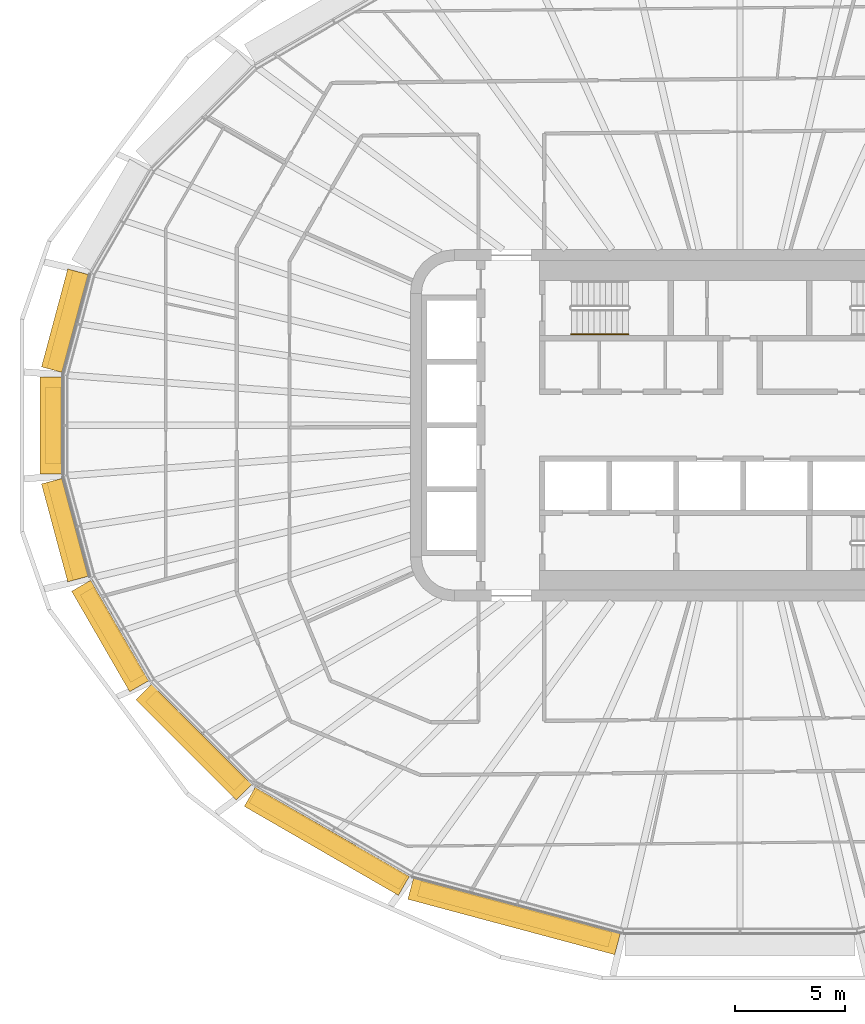
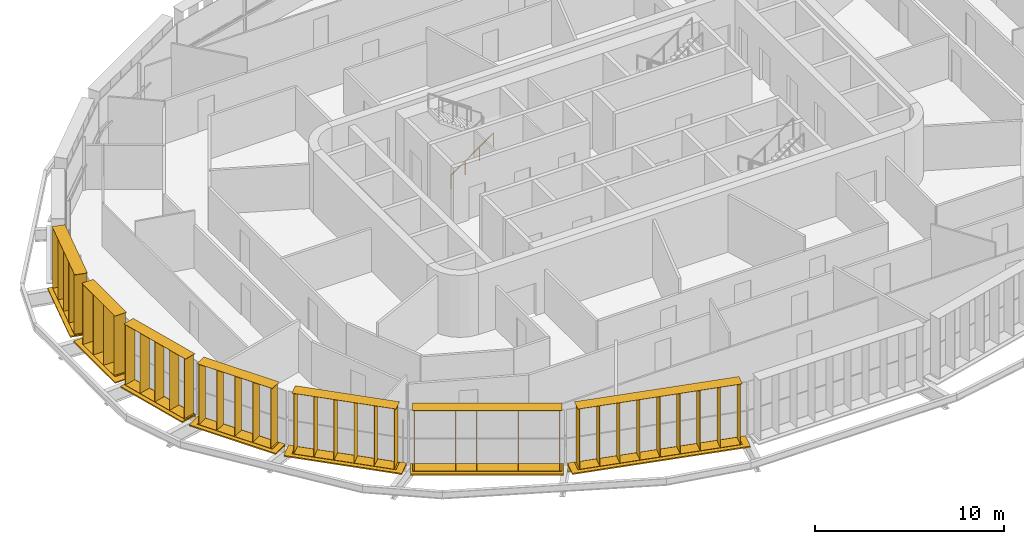
# One storey, part 17 of 21: 14 shading devices, 1 railing.
"""IFC4 building model written with IfcOpenShell, lengths in metres."""

from ifc_helpers import new_model, si_unit, direction, frame, origin, origin_2d, place, context, subcontext, project, spatial, rectangle, circle, extrude, material, type_object, element, save


model = new_model("IFC4")

# Units and contexts
model_context = context("Model", 3, precision=1e-05, world=origin(), true_north=direction((0.0, 1.0)))
body_context = subcontext(model_context, "Body", "Model", "MODEL_VIEW")
ifc_project = project(units=[si_unit("LENGTHUNIT", "METRE"), si_unit("AREAUNIT", "SQUARE_METRE"), si_unit("VOLUMEUNIT", "CUBIC_METRE"), si_unit("PLANEANGLEUNIT", "RADIAN"), si_unit("MASSUNIT", "GRAM", prefix="KILO")], contexts=[model_context])

# Site, building, storey
site_placement = place(None, origin())
site = spatial("IfcSite", under=ifc_project, at=site_placement, CompositionType="ELEMENT")
building_placement = place(site_placement, origin())
building = spatial("IfcBuilding", under=site, at=building_placement, Name="Sahrelin Media Tower", CompositionType="ELEMENT")
storey_placement = place(building_placement, frame((0.0, 0.0, 193.60009765625)))
storey = spatial("IfcBuildingStorey", under=building, at=storey_placement, Name="L41", CompositionType="ELEMENT", Elevation=193.60009765625)

# Shading devices
ifc_material_1 = material(Name="Champagne anodised aluminium 6063-T6", Category="aluminium")
shading_device_type_1 = type_object("IfcShadingDeviceType", Name="Fin cassette", PredefinedType="USERDEFINED", material=ifc_material_1)
placement_1 = place(storey_placement, frame((-30.2041015625, 4.627197265625, 0.0), z_axis=(0.0, 0.0, 1.0), x_axis=(0.258807731996, 0.965928857556, 0.0)))
element("IfcShadingDevice", 1, at=placement_1, inside=storey, type_object=shading_device_type_1, Name="L41:FIN:L41-11", ObjectType="FIN", PredefinedType="USERDEFINED", context=body_context, shape_type="SweptSolid", body=[
    extrude(rectangle(XDim=4.60009765625, YDim=0.699951171875, at=origin_2d()), frame((0.0, 0.419921875, 0.0)), (0.0, 0.0, 1.0), 0.02001953125),
    extrude(rectangle(XDim=4.60009765625, YDim=0.699951171875, at=origin_2d()), frame((0.0, 0.419921875, 3.89990234375)), (0.0, 0.0, 1.0), 0.02001953125),
    extrude(rectangle(XDim=0.02001953125, YDim=0.699951171875, at=origin_2d()), frame((-2.199951171875, 0.419921875, 0.010009765625), z_axis=(0.0, 0.0, 1.0), x_axis=(1.0, 0.0, 0.0)), (0.0, 0.0, 1.0), 3.89990234375),
    extrude(rectangle(XDim=0.02001953125, YDim=0.699951171875, at=origin_2d()), frame((-1.10009765625, 0.419921875, 0.010009765625), z_axis=(0.0, 0.0, 1.0), x_axis=(1.0, 0.0, 0.0)), (0.0, 0.0, 1.0), 3.89990234375),
    extrude(rectangle(XDim=0.02001953125, YDim=0.699951171875, at=origin_2d()), frame((0.0, 0.419921875, 0.010009765625), z_axis=(0.0, 0.0, 1.0), x_axis=(1.0, 0.0, 0.0)), (0.0, 0.0, 1.0), 3.89990234375),
    extrude(rectangle(XDim=0.02001953125, YDim=0.699951171875, at=origin_2d()), frame((1.10009765625, 0.419921875, 0.010009765625), z_axis=(0.0, 0.0, 1.0), x_axis=(1.0, 0.0, 0.0)), (0.0, 0.0, 1.0), 3.89990234375),
    extrude(rectangle(XDim=0.02001953125, YDim=0.699951171875, at=origin_2d()), frame((2.199951171875, 0.419921875, 0.010009765625), z_axis=(0.0, 0.0, 1.0), x_axis=(1.0, 0.0, 0.0)), (0.0, 0.0, 1.0), 3.89990234375),
])
placement_2 = place(storey_placement, frame((-30.827392578125, 0.0, 0.0), z_axis=(0.0, 0.0, 1.0), x_axis=(0.0, 1.0, 0.0)))
element("IfcShadingDevice", 2, at=placement_2, inside=storey, type_object=shading_device_type_1, Name="L41:FIN:L41-12", ObjectType="FIN", PredefinedType="USERDEFINED", context=body_context, shape_type="SweptSolid", body=[
    extrude(rectangle(XDim=3.5, YDim=0.699951171875, at=origin_2d()), frame((0.0, 0.419921875, 0.0)), (0.0, 0.0, 1.0), 0.02001953125),
    extrude(rectangle(XDim=3.5, YDim=0.699951171875, at=origin_2d()), frame((0.0, 0.419921875, 3.89990234375)), (0.0, 0.0, 1.0), 0.02001953125),
    extrude(rectangle(XDim=0.02001953125, YDim=0.699951171875, at=origin_2d()), frame((-1.64990234375, 0.419921875, 0.010009765625), z_axis=(0.0, 0.0, 1.0), x_axis=(1.0, 0.0, 0.0)), (0.0, 0.0, 1.0), 3.89990234375),
    extrude(rectangle(XDim=0.02001953125, YDim=0.699951171875, at=origin_2d()), frame((-0.550048828125, 0.419921875, 0.010009765625), z_axis=(0.0, 0.0, 1.0), x_axis=(1.0, 0.0, 0.0)), (0.0, 0.0, 1.0), 3.89990234375),
    extrude(rectangle(XDim=0.02001953125, YDim=0.699951171875, at=origin_2d()), frame((0.550048828125, 0.419921875, 0.010009765625), z_axis=(0.0, 0.0, 1.0), x_axis=(1.0, 0.0, 0.0)), (0.0, 0.0, 1.0), 3.89990234375),
    extrude(rectangle(XDim=0.02001953125, YDim=0.699951171875, at=origin_2d()), frame((1.64990234375, 0.419921875, 0.010009765625), z_axis=(0.0, 0.0, 1.0), x_axis=(1.0, 0.0, 0.0)), (0.0, 0.0, 1.0), 3.89990234375),
])
placement_3 = place(storey_placement, frame((-30.2041015625, -4.627197265625, 0.0), z_axis=(0.0, 0.0, 1.0), x_axis=(-0.258807731996, 0.965928857556, 0.0)))
element("IfcShadingDevice", 3, at=placement_3, inside=storey, type_object=shading_device_type_1, Name="L41:FIN:L41-13", ObjectType="FIN", PredefinedType="USERDEFINED", context=body_context, shape_type="SweptSolid", body=[
    extrude(rectangle(XDim=4.60009765625, YDim=0.699951171875, at=origin_2d()), frame((0.0, 0.419921875, 0.0)), (0.0, 0.0, 1.0), 0.02001953125),
    extrude(rectangle(XDim=4.60009765625, YDim=0.699951171875, at=origin_2d()), frame((0.0, 0.419921875, 3.89990234375)), (0.0, 0.0, 1.0), 0.02001953125),
    extrude(rectangle(XDim=0.02001953125, YDim=0.699951171875, at=origin_2d()), frame((-2.199951171875, 0.419921875, 0.010009765625), z_axis=(0.0, 0.0, 1.0), x_axis=(1.0, 0.0, 0.0)), (0.0, 0.0, 1.0), 3.89990234375),
    extrude(rectangle(XDim=0.02001953125, YDim=0.699951171875, at=origin_2d()), frame((-1.10009765625, 0.419921875, 0.010009765625), z_axis=(0.0, 0.0, 1.0), x_axis=(1.0, 0.0, 0.0)), (0.0, 0.0, 1.0), 3.89990234375),
    extrude(rectangle(XDim=0.02001953125, YDim=0.699951171875, at=origin_2d()), frame((0.0, 0.419921875, 0.010009765625), z_axis=(0.0, 0.0, 1.0), x_axis=(1.0, 0.0, 0.0)), (0.0, 0.0, 1.0), 3.89990234375),
    extrude(rectangle(XDim=0.02001953125, YDim=0.699951171875, at=origin_2d()), frame((1.10009765625, 0.419921875, 0.010009765625), z_axis=(0.0, 0.0, 1.0), x_axis=(1.0, 0.0, 0.0)), (0.0, 0.0, 1.0), 3.89990234375),
    extrude(rectangle(XDim=0.02001953125, YDim=0.699951171875, at=origin_2d()), frame((2.199951171875, 0.419921875, 0.010009765625), z_axis=(0.0, 0.0, 1.0), x_axis=(1.0, 0.0, 0.0)), (0.0, 0.0, 1.0), 3.89990234375),
])
placement_4 = place(storey_placement, frame((-28.211181640625, -9.324951171875, 0.0), z_axis=(0.0, 0.0, 1.0), x_axis=(-0.500011000363, 0.866019052629, 0.0)))
element("IfcShadingDevice", 4, at=placement_4, inside=storey, type_object=shading_device_type_1, Name="L41:FIN:L41-14", ObjectType="FIN", PredefinedType="USERDEFINED", context=body_context, shape_type="SweptSolid", body=[
    extrude(rectangle(XDim=4.60009765625, YDim=0.699951171875, at=origin_2d()), frame((0.0, 0.419921875, 0.0)), (0.0, 0.0, 1.0), 0.02001953125),
    extrude(rectangle(XDim=4.60009765625, YDim=0.699951171875, at=origin_2d()), frame((0.0, 0.419921875, 3.89990234375)), (0.0, 0.0, 1.0), 0.02001953125),
    extrude(rectangle(XDim=0.02001953125, YDim=0.699951171875, at=origin_2d()), frame((-2.199951171875, 0.419921875, 0.010009765625), z_axis=(0.0, 0.0, 1.0), x_axis=(1.0, 0.0, 0.0)), (0.0, 0.0, 1.0), 3.89990234375),
    extrude(rectangle(XDim=0.02001953125, YDim=0.699951171875, at=origin_2d()), frame((-1.10009765625, 0.419921875, 0.010009765625), z_axis=(0.0, 0.0, 1.0), x_axis=(1.0, 0.0, 0.0)), (0.0, 0.0, 1.0), 3.89990234375),
    extrude(rectangle(XDim=0.02001953125, YDim=0.699951171875, at=origin_2d()), frame((0.0, 0.419921875, 0.010009765625), z_axis=(0.0, 0.0, 1.0), x_axis=(1.0, 0.0, 0.0)), (0.0, 0.0, 1.0), 3.89990234375),
    extrude(rectangle(XDim=0.02001953125, YDim=0.699951171875, at=origin_2d()), frame((1.10009765625, 0.419921875, 0.010009765625), z_axis=(0.0, 0.0, 1.0), x_axis=(1.0, 0.0, 0.0)), (0.0, 0.0, 1.0), 3.89990234375),
    extrude(rectangle(XDim=0.02001953125, YDim=0.699951171875, at=origin_2d()), frame((2.199951171875, 0.419921875, 0.010009765625), z_axis=(0.0, 0.0, 1.0), x_axis=(1.0, 0.0, 0.0)), (0.0, 0.0, 1.0), 3.89990234375),
])
placement_5 = place(storey_placement, frame((-24.48779296875, -14.05126953125, 0.0), z_axis=(0.0, 0.0, 1.0), x_axis=(-0.707106781187, 0.707106781187, 0.0)))
element("IfcShadingDevice", 5, at=placement_5, inside=storey, type_object=shading_device_type_1, Name="L41:FIN:L41-15", ObjectType="FIN", PredefinedType="USERDEFINED", context=body_context, shape_type="SweptSolid", body=[
    extrude(rectangle(XDim=5.699951171875, YDim=0.699951171875, at=origin_2d()), frame((0.0, 0.419921875, 0.0)), (0.0, 0.0, 1.0), 0.02001953125),
    extrude(rectangle(XDim=5.699951171875, YDim=0.699951171875, at=origin_2d()), frame((0.0, 0.419921875, 3.89990234375)), (0.0, 0.0, 1.0), 0.02001953125),
    extrude(rectangle(XDim=0.02001953125, YDim=0.699951171875, at=origin_2d()), frame((-2.75, 0.419921875, 0.010009765625), z_axis=(0.0, 0.0, 1.0), x_axis=(1.0, 0.0, 0.0)), (0.0, 0.0, 1.0), 3.89990234375),
    extrude(rectangle(XDim=0.02001953125, YDim=0.699951171875, at=origin_2d()), frame((-1.64990234375, 0.419921875, 0.010009765625), z_axis=(0.0, 0.0, 1.0), x_axis=(1.0, 0.0, 0.0)), (0.0, 0.0, 1.0), 3.89990234375),
    extrude(rectangle(XDim=0.02001953125, YDim=0.699951171875, at=origin_2d()), frame((-0.550048828125, 0.419921875, 0.010009765625), z_axis=(0.0, 0.0, 1.0), x_axis=(1.0, 0.0, 0.0)), (0.0, 0.0, 1.0), 3.89990234375),
    extrude(rectangle(XDim=0.02001953125, YDim=0.699951171875, at=origin_2d()), frame((0.550048828125, 0.419921875, 0.010009765625), z_axis=(0.0, 0.0, 1.0), x_axis=(1.0, 0.0, 0.0)), (0.0, 0.0, 1.0), 3.89990234375),
    extrude(rectangle(XDim=0.02001953125, YDim=0.699951171875, at=origin_2d()), frame((1.64990234375, 0.419921875, 0.010009765625), z_axis=(0.0, 0.0, 1.0), x_axis=(1.0, 0.0, 0.0)), (0.0, 0.0, 1.0), 3.89990234375),
    extrude(rectangle(XDim=0.02001953125, YDim=0.699951171875, at=origin_2d()), frame((2.75, 0.419921875, 0.010009765625), z_axis=(0.0, 0.0, 1.0), x_axis=(1.0, 0.0, 0.0)), (0.0, 0.0, 1.0), 3.89990234375),
])
placement_6 = place(storey_placement, frame((-18.54052734375, -18.47998046875, 0.0), z_axis=(0.0, 0.0, 1.0), x_axis=(-0.866019052629, 0.500011000363, 0.0)))
element("IfcShadingDevice", 6, at=placement_6, inside=storey, type_object=shading_device_type_1, Name="L41:FIN:L41-16", ObjectType="FIN", PredefinedType="USERDEFINED", context=body_context, shape_type="SweptSolid", body=[
    extrude(rectangle(XDim=7.89990234375, YDim=0.699951171875, at=origin_2d()), frame((0.0, 0.419921875, 0.0)), (0.0, 0.0, 1.0), 0.02001953125),
    extrude(rectangle(XDim=7.89990234375, YDim=0.699951171875, at=origin_2d()), frame((0.0, 0.419921875, 3.89990234375)), (0.0, 0.0, 1.0), 0.02001953125),
    extrude(rectangle(XDim=0.02001953125, YDim=0.699951171875, at=origin_2d()), frame((-3.85009765625, 0.419921875, 0.010009765625), z_axis=(0.0, 0.0, 1.0), x_axis=(1.0, 0.0, 0.0)), (0.0, 0.0, 1.0), 3.89990234375),
    extrude(rectangle(XDim=0.02001953125, YDim=0.699951171875, at=origin_2d()), frame((-2.75, 0.419921875, 0.010009765625), z_axis=(0.0, 0.0, 1.0), x_axis=(1.0, 0.0, 0.0)), (0.0, 0.0, 1.0), 3.89990234375),
    extrude(rectangle(XDim=0.02001953125, YDim=0.699951171875, at=origin_2d()), frame((-1.64990234375, 0.419921875, 0.010009765625), z_axis=(0.0, 0.0, 1.0), x_axis=(1.0, 0.0, 0.0)), (0.0, 0.0, 1.0), 3.89990234375),
    extrude(rectangle(XDim=0.02001953125, YDim=0.699951171875, at=origin_2d()), frame((-0.550048828125, 0.419921875, 0.010009765625), z_axis=(0.0, 0.0, 1.0), x_axis=(1.0, 0.0, 0.0)), (0.0, 0.0, 1.0), 3.89990234375),
    extrude(rectangle(XDim=0.02001953125, YDim=0.699951171875, at=origin_2d()), frame((0.550048828125, 0.419921875, 0.010009765625), z_axis=(0.0, 0.0, 1.0), x_axis=(1.0, 0.0, 0.0)), (0.0, 0.0, 1.0), 3.89990234375),
    extrude(rectangle(XDim=0.02001953125, YDim=0.699951171875, at=origin_2d()), frame((1.64990234375, 0.419921875, 0.010009765625), z_axis=(0.0, 0.0, 1.0), x_axis=(1.0, 0.0, 0.0)), (0.0, 0.0, 1.0), 3.89990234375),
    extrude(rectangle(XDim=0.02001953125, YDim=0.699951171875, at=origin_2d()), frame((2.75, 0.419921875, 0.010009765625), z_axis=(0.0, 0.0, 1.0), x_axis=(1.0, 0.0, 0.0)), (0.0, 0.0, 1.0), 3.89990234375),
    extrude(rectangle(XDim=0.02001953125, YDim=0.699951171875, at=origin_2d()), frame((3.85009765625, 0.419921875, 0.010009765625), z_axis=(0.0, 0.0, 1.0), x_axis=(1.0, 0.0, 0.0)), (0.0, 0.0, 1.0), 3.89990234375),
])
placement_7 = place(storey_placement, frame((-10.143310546875, -21.841796875, 0.0), z_axis=(0.0, 0.0, 1.0), x_axis=(-0.965928857556, 0.258807731996, 0.0)))
element("IfcShadingDevice", 7, at=placement_7, inside=storey, type_object=shading_device_type_1, Name="L41:FIN:L41-17", ObjectType="FIN", PredefinedType="USERDEFINED", context=body_context, shape_type="SweptSolid", body=[
    extrude(rectangle(XDim=9.0, YDim=0.699951171875, at=origin_2d()), frame((0.0, 0.419921875, 0.0)), (0.0, 0.0, 1.0), 0.02001953125),
    extrude(rectangle(XDim=9.0, YDim=0.699951171875, at=origin_2d()), frame((0.0, 0.419921875, 3.89990234375)), (0.0, 0.0, 1.0), 0.02001953125),
    extrude(rectangle(XDim=0.02001953125, YDim=0.699951171875, at=origin_2d()), frame((-4.39990234375, 0.419921875, 0.010009765625), z_axis=(0.0, 0.0, 1.0), x_axis=(1.0, 0.0, 0.0)), (0.0, 0.0, 1.0), 3.89990234375),
    extrude(rectangle(XDim=0.02001953125, YDim=0.699951171875, at=origin_2d()), frame((-3.300048828125, 0.419921875, 0.010009765625), z_axis=(0.0, 0.0, 1.0), x_axis=(1.0, 0.0, 0.0)), (0.0, 0.0, 1.0), 3.89990234375),
    extrude(rectangle(XDim=0.02001953125, YDim=0.699951171875, at=origin_2d()), frame((-2.199951171875, 0.419921875, 0.010009765625), z_axis=(0.0, 0.0, 1.0), x_axis=(1.0, 0.0, 0.0)), (0.0, 0.0, 1.0), 3.89990234375),
    extrude(rectangle(XDim=0.02001953125, YDim=0.699951171875, at=origin_2d()), frame((-1.10009765625, 0.419921875, 0.010009765625), z_axis=(0.0, 0.0, 1.0), x_axis=(1.0, 0.0, 0.0)), (0.0, 0.0, 1.0), 3.89990234375),
    extrude(rectangle(XDim=0.02001953125, YDim=0.699951171875, at=origin_2d()), frame((0.0, 0.419921875, 0.010009765625), z_axis=(0.0, 0.0, 1.0), x_axis=(1.0, 0.0, 0.0)), (0.0, 0.0, 1.0), 3.89990234375),
    extrude(rectangle(XDim=0.02001953125, YDim=0.699951171875, at=origin_2d()), frame((1.10009765625, 0.419921875, 0.010009765625), z_axis=(0.0, 0.0, 1.0), x_axis=(1.0, 0.0, 0.0)), (0.0, 0.0, 1.0), 3.89990234375),
    extrude(rectangle(XDim=0.02001953125, YDim=0.699951171875, at=origin_2d()), frame((2.199951171875, 0.419921875, 0.010009765625), z_axis=(0.0, 0.0, 1.0), x_axis=(1.0, 0.0, 0.0)), (0.0, 0.0, 1.0), 3.89990234375),
    extrude(rectangle(XDim=0.02001953125, YDim=0.699951171875, at=origin_2d()), frame((3.300048828125, 0.419921875, 0.010009765625), z_axis=(0.0, 0.0, 1.0), x_axis=(1.0, 0.0, 0.0)), (0.0, 0.0, 1.0), 3.89990234375),
    extrude(rectangle(XDim=0.02001953125, YDim=0.699951171875, at=origin_2d()), frame((4.39990234375, 0.419921875, 0.010009765625), z_axis=(0.0, 0.0, 1.0), x_axis=(1.0, 0.0, 0.0)), (0.0, 0.0, 1.0), 3.89990234375),
])

# Railing
ifc_material_2 = material(Name="Steel S355", Category="steel")
railing_type = type_object("IfcRailingType", Name="Stair handrail 900", PredefinedType="HANDRAIL", material=ifc_material_2)
railing_placement = place(storey_placement, frame((-7.675048828125, 4.14990234375, 0.181640625)))
element("IfcRailing", 8, at=railing_placement, inside=storey, type_object=railing_type, Name="L41 ST1 stair handrail 1", PredefinedType="HANDRAIL", context=body_context, shape_type="SweptSolid", body=[
    extrude(circle(Radius=0.02392578125, at=origin_2d()), frame((0.0, 0.0, 0.8759765625), z_axis=(0.819484887739, 0.0, 0.573100792852), x_axis=(0.0, 1.0, 0.0)), (0.0, 0.0, 1.0), 3.1728515625),
    extrude(circle(Radius=0.02099609375, at=origin_2d()), origin(), (0.0, 0.0, 1.0), 0.851806640625),
    extrude(circle(Radius=0.02099609375, at=origin_2d()), frame((0.86669921875, 0.0, 0.606201171875)), (0.0, 0.0, 1.0), 0.851806640625),
    extrude(circle(Radius=0.02099609375, at=origin_2d()), frame((1.7333984375, 0.0, 1.212158203125)), (0.0, 0.0, 1.0), 0.851806640625),
    extrude(circle(Radius=0.02099609375, at=origin_2d()), frame((2.60009765625, 0.0, 1.818359375)), (0.0, 0.0, 1.0), 0.851806640625),
])

# Shading devices
shading_device_type_2 = type_object("IfcShadingDeviceType", Name="Sunshade band", PredefinedType="USERDEFINED", material=ifc_material_1)
element("IfcShadingDevice", 9, at=placement_1, inside=storey, type_object=shading_device_type_2, Name="L41:SUN:L41-11", ObjectType="SUNSHADE", PredefinedType="USERDEFINED", context=body_context, shape_type="SweptSolid", body=[
    extrude(rectangle(XDim=4.61474609375, YDim=0.050048828125, at=origin_2d()), frame((0.0, 0.044921875, -0.55126953125)), (0.0, 0.0, 1.0), 0.471435546875),
    extrude(rectangle(XDim=4.61474609375, YDim=1.0, at=origin_2d()), frame((0.0, 0.52001953125, -0.080078125)), (0.0, 0.0, 1.0), 0.080078125),
    extrude(rectangle(XDim=0.10009765625, YDim=0.074951171875, at=origin_2d()), frame((-2.20751953125, -0.017578125, -0.47021484375)), (0.0, 0.0, 1.0), 0.300048828125),
    extrude(rectangle(XDim=0.10009765625, YDim=0.074951171875, at=origin_2d()), frame((-0.73583984375, -0.017578125, -0.47021484375)), (0.0, 0.0, 1.0), 0.300048828125),
    extrude(rectangle(XDim=0.10009765625, YDim=0.074951171875, at=origin_2d()), frame((0.73583984375, -0.017578125, -0.47021484375)), (0.0, 0.0, 1.0), 0.300048828125),
    extrude(rectangle(XDim=0.10009765625, YDim=0.074951171875, at=origin_2d()), frame((2.20751953125, -0.017578125, -0.47021484375)), (0.0, 0.0, 1.0), 0.300048828125),
])
element("IfcShadingDevice", 10, at=placement_2, inside=storey, type_object=shading_device_type_2, Name="L41:SUN:L41-12", ObjectType="SUNSHADE", PredefinedType="USERDEFINED", context=body_context, shape_type="SweptSolid", body=[
    extrude(rectangle(XDim=4.403564453125, YDim=0.050048828125, at=origin_2d()), frame((0.0, 0.044921875, -0.55126953125)), (0.0, 0.0, 1.0), 0.471435546875),
    extrude(rectangle(XDim=4.403564453125, YDim=1.0, at=origin_2d()), frame((0.0, 0.52001953125, -0.080078125)), (0.0, 0.0, 1.0), 0.080078125),
    extrude(rectangle(XDim=0.10009765625, YDim=0.074951171875, at=origin_2d()), frame((-2.101806640625, -0.017578125, -0.47021484375)), (0.0, 0.0, 1.0), 0.300048828125),
    extrude(rectangle(XDim=0.10009765625, YDim=0.074951171875, at=origin_2d()), frame((-0.70068359375, -0.017578125, -0.47021484375)), (0.0, 0.0, 1.0), 0.300048828125),
    extrude(rectangle(XDim=0.10009765625, YDim=0.074951171875, at=origin_2d()), frame((0.70068359375, -0.017578125, -0.47021484375)), (0.0, 0.0, 1.0), 0.300048828125),
    extrude(rectangle(XDim=0.10009765625, YDim=0.074951171875, at=origin_2d()), frame((2.101806640625, -0.017578125, -0.47021484375)), (0.0, 0.0, 1.0), 0.300048828125),
])
element("IfcShadingDevice", 11, at=placement_3, inside=storey, type_object=shading_device_type_2, Name="L41:SUN:L41-13", ObjectType="SUNSHADE", PredefinedType="USERDEFINED", context=body_context, shape_type="SweptSolid", body=[
    extrude(rectangle(XDim=4.61474609375, YDim=0.050048828125, at=origin_2d()), frame((0.0, 0.044921875, -0.55126953125)), (0.0, 0.0, 1.0), 0.471435546875),
    extrude(rectangle(XDim=4.61474609375, YDim=1.0, at=origin_2d()), frame((0.0, 0.52001953125, -0.080078125)), (0.0, 0.0, 1.0), 0.080078125),
    extrude(rectangle(XDim=0.10009765625, YDim=0.074951171875, at=origin_2d()), frame((-2.20751953125, -0.017578125, -0.47021484375)), (0.0, 0.0, 1.0), 0.300048828125),
    extrude(rectangle(XDim=0.10009765625, YDim=0.074951171875, at=origin_2d()), frame((-0.73583984375, -0.017578125, -0.47021484375)), (0.0, 0.0, 1.0), 0.300048828125),
    extrude(rectangle(XDim=0.10009765625, YDim=0.074951171875, at=origin_2d()), frame((0.73583984375, -0.017578125, -0.47021484375)), (0.0, 0.0, 1.0), 0.300048828125),
    extrude(rectangle(XDim=0.10009765625, YDim=0.074951171875, at=origin_2d()), frame((2.20751953125, -0.017578125, -0.47021484375)), (0.0, 0.0, 1.0), 0.300048828125),
])
element("IfcShadingDevice", 12, at=placement_4, inside=storey, type_object=shading_device_type_2, Name="L41:SUN:L41-14", ObjectType="SUNSHADE", PredefinedType="USERDEFINED", context=body_context, shape_type="SweptSolid", body=[
    extrude(rectangle(XDim=5.279052734375, YDim=0.050048828125, at=origin_2d()), frame((0.0, 0.044921875, -0.55126953125)), (0.0, 0.0, 1.0), 0.471435546875),
    extrude(rectangle(XDim=5.279052734375, YDim=1.0, at=origin_2d()), frame((0.0, 0.52001953125, -0.080078125)), (0.0, 0.0, 1.0), 0.080078125),
    extrude(rectangle(XDim=0.10009765625, YDim=0.074951171875, at=origin_2d()), frame((-2.53955078125, -0.017578125, -0.47021484375)), (0.0, 0.0, 1.0), 0.300048828125),
    extrude(rectangle(XDim=0.10009765625, YDim=0.074951171875, at=origin_2d()), frame((-0.846435546875, -0.017578125, -0.47021484375)), (0.0, 0.0, 1.0), 0.300048828125),
    extrude(rectangle(XDim=0.10009765625, YDim=0.074951171875, at=origin_2d()), frame((0.846435546875, -0.017578125, -0.47021484375)), (0.0, 0.0, 1.0), 0.300048828125),
    extrude(rectangle(XDim=0.10009765625, YDim=0.074951171875, at=origin_2d()), frame((2.53955078125, -0.017578125, -0.47021484375)), (0.0, 0.0, 1.0), 0.300048828125),
])
element("IfcShadingDevice", 13, at=placement_5, inside=storey, type_object=shading_device_type_2, Name="L41:SUN:L41-15", ObjectType="SUNSHADE", PredefinedType="USERDEFINED", context=body_context, shape_type="SweptSolid", body=[
    extrude(rectangle(XDim=6.45751953125, YDim=0.050048828125, at=origin_2d()), frame((0.0, 0.044921875, -0.55126953125)), (0.0, 0.0, 1.0), 0.471435546875),
    extrude(rectangle(XDim=6.45751953125, YDim=1.0, at=origin_2d()), frame((0.0, 0.52001953125, -0.080078125)), (0.0, 0.0, 1.0), 0.080078125),
    extrude(rectangle(XDim=0.10009765625, YDim=0.074951171875, at=origin_2d()), frame((-3.12890625, -0.017578125, -0.47021484375)), (0.0, 0.0, 1.0), 0.300048828125),
    extrude(rectangle(XDim=0.10009765625, YDim=0.074951171875, at=origin_2d()), frame((-1.564453125, -0.017578125, -0.47021484375)), (0.0, 0.0, 1.0), 0.300048828125),
    extrude(rectangle(XDim=0.10009765625, YDim=0.074951171875, at=origin_2d()), frame((0.0, -0.017578125, -0.47021484375)), (0.0, 0.0, 1.0), 0.300048828125),
    extrude(rectangle(XDim=0.10009765625, YDim=0.074951171875, at=origin_2d()), frame((1.564453125, -0.017578125, -0.47021484375)), (0.0, 0.0, 1.0), 0.300048828125),
    extrude(rectangle(XDim=0.10009765625, YDim=0.074951171875, at=origin_2d()), frame((3.12890625, -0.017578125, -0.47021484375)), (0.0, 0.0, 1.0), 0.300048828125),
])
element("IfcShadingDevice", 14, at=placement_6, inside=storey, type_object=shading_device_type_2, Name="L41:SUN:L41-16", ObjectType="SUNSHADE", PredefinedType="USERDEFINED", context=body_context, shape_type="SweptSolid", body=[
    extrude(rectangle(XDim=8.09912109375, YDim=0.050048828125, at=origin_2d()), frame((0.0, 0.044921875, -0.55126953125)), (0.0, 0.0, 1.0), 0.471435546875),
    extrude(rectangle(XDim=8.09912109375, YDim=1.0, at=origin_2d()), frame((0.0, 0.52001953125, -0.080078125)), (0.0, 0.0, 1.0), 0.080078125),
    extrude(rectangle(XDim=0.10009765625, YDim=0.074951171875, at=origin_2d()), frame((-3.949462890625, -0.017578125, -0.47021484375)), (0.0, 0.0, 1.0), 0.300048828125),
    extrude(rectangle(XDim=0.10009765625, YDim=0.074951171875, at=origin_2d()), frame((-2.36962890625, -0.017578125, -0.47021484375)), (0.0, 0.0, 1.0), 0.300048828125),
    extrude(rectangle(XDim=0.10009765625, YDim=0.074951171875, at=origin_2d()), frame((-0.789794921875, -0.017578125, -0.47021484375)), (0.0, 0.0, 1.0), 0.300048828125),
    extrude(rectangle(XDim=0.10009765625, YDim=0.074951171875, at=origin_2d()), frame((0.789794921875, -0.017578125, -0.47021484375)), (0.0, 0.0, 1.0), 0.300048828125),
    extrude(rectangle(XDim=0.10009765625, YDim=0.074951171875, at=origin_2d()), frame((2.36962890625, -0.017578125, -0.47021484375)), (0.0, 0.0, 1.0), 0.300048828125),
    extrude(rectangle(XDim=0.10009765625, YDim=0.074951171875, at=origin_2d()), frame((3.949462890625, -0.017578125, -0.47021484375)), (0.0, 0.0, 1.0), 0.300048828125),
])
element("IfcShadingDevice", 15, at=placement_7, inside=storey, type_object=shading_device_type_2, Name="L41:SUN:L41-17", ObjectType="SUNSHADE", PredefinedType="USERDEFINED", context=body_context, shape_type="SweptSolid", body=[
    extrude(rectangle(XDim=9.74609375, YDim=0.050048828125, at=origin_2d()), frame((0.0, 0.044921875, -0.55126953125)), (0.0, 0.0, 1.0), 0.471435546875),
    extrude(rectangle(XDim=9.74609375, YDim=1.0, at=origin_2d()), frame((0.0, 0.52001953125, -0.080078125)), (0.0, 0.0, 1.0), 0.080078125),
    extrude(rectangle(XDim=0.10009765625, YDim=0.074951171875, at=origin_2d()), frame((-4.773193359375, -0.017578125, -0.47021484375)), (0.0, 0.0, 1.0), 0.300048828125),
    extrude(rectangle(XDim=0.10009765625, YDim=0.074951171875, at=origin_2d()), frame((-2.864013671875, -0.017578125, -0.47021484375)), (0.0, 0.0, 1.0), 0.300048828125),
    extrude(rectangle(XDim=0.10009765625, YDim=0.074951171875, at=origin_2d()), frame((-0.95458984375, -0.017578125, -0.47021484375)), (0.0, 0.0, 1.0), 0.300048828125),
    extrude(rectangle(XDim=0.10009765625, YDim=0.074951171875, at=origin_2d()), frame((0.95458984375, -0.017578125, -0.47021484375)), (0.0, 0.0, 1.0), 0.300048828125),
    extrude(rectangle(XDim=0.10009765625, YDim=0.074951171875, at=origin_2d()), frame((2.864013671875, -0.017578125, -0.47021484375)), (0.0, 0.0, 1.0), 0.300048828125),
    extrude(rectangle(XDim=0.10009765625, YDim=0.074951171875, at=origin_2d()), frame((4.773193359375, -0.017578125, -0.47021484375)), (0.0, 0.0, 1.0), 0.300048828125),
])

save(model, "model.ifc")
